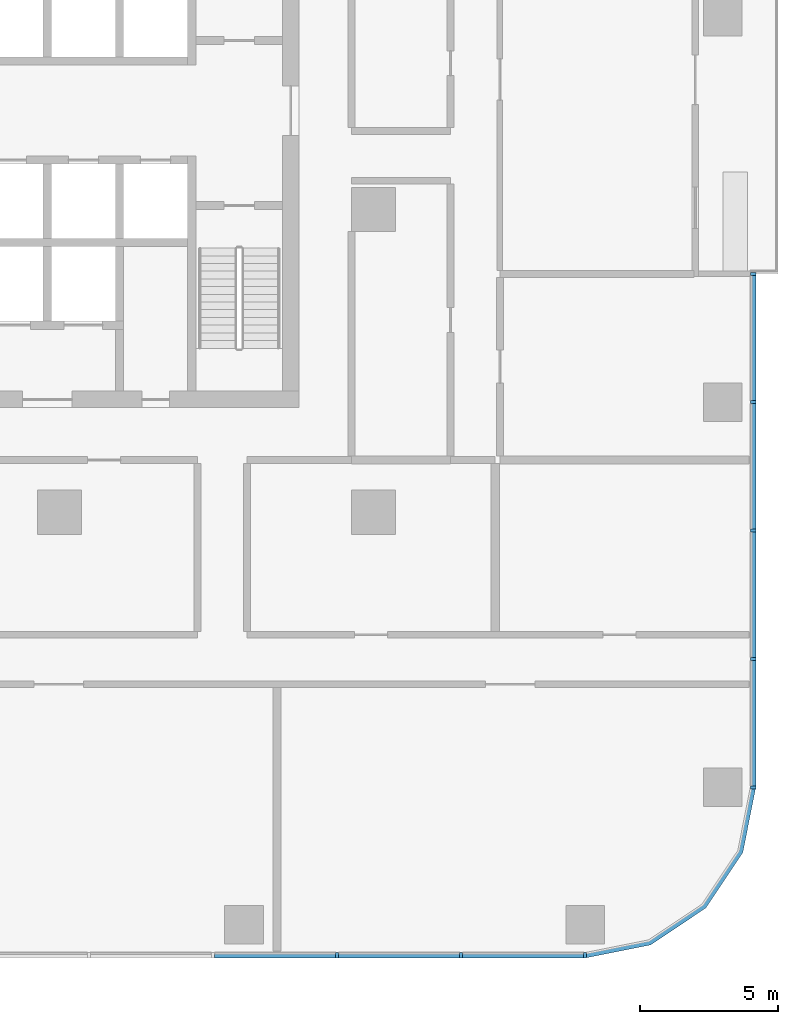
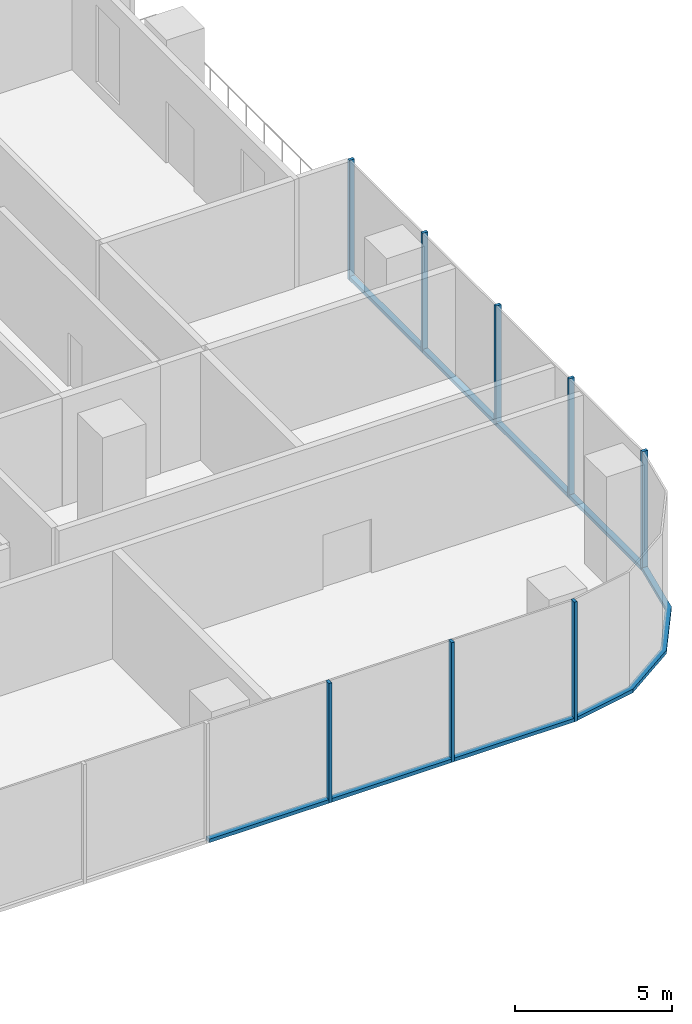
# One storey, part 3 of 15: 16 members, 3 elements without a shape of their own.
"""IFC4 building model written with IfcOpenShell, lengths in metres."""

from ifc_helpers import new_model, si_unit, direction, frame, origin, origin_2d, place, context, subcontext, project, spatial, polyline, rectangle, outline, extrude, material, material_profile, profile_set, type_object, element, aggregate, save


model = new_model("IFC4")

# Units and contexts
model_context = context("Model", 3, precision=1e-05, world=origin(), true_north=direction((0.0, 1.0)))
body_context = subcontext(model_context, "Body", "Model", "MODEL_VIEW")
ifc_project = project(units=[si_unit("LENGTHUNIT", "METRE"), si_unit("AREAUNIT", "SQUARE_METRE"), si_unit("VOLUMEUNIT", "CUBIC_METRE"), si_unit("PLANEANGLEUNIT", "RADIAN"), si_unit("MASSUNIT", "GRAM", prefix="KILO")], contexts=[model_context])

# Site, building, storey
site_placement = place(None, origin())
site = spatial("IfcSite", under=ifc_project, at=site_placement, CompositionType="ELEMENT")
building_placement = place(site_placement, origin())
building = spatial("IfcBuilding", under=site, at=building_placement, Name="Mopane Tessera Tower", CompositionType="ELEMENT")
storey_placement = place(building_placement, frame((0.0, 0.0, 83.800048828125)))
storey = spatial("IfcBuildingStorey", under=building, at=storey_placement, Name="L16", CompositionType="ELEMENT", Elevation=83.800048828125)

# Curtain wall, members
ifc_material_1 = material(Name="Aluminium frame", Category="aluminium")
curtain_wall_type = type_object("IfcCurtainWallType", Name="Lower tower unitised wall", PredefinedType="NOTDEFINED", material=ifc_material_1)
curtain_wall_1_placement = place(storey_placement, origin())
curtain_wall_1 = element("IfcCurtainWall", 1, at=curtain_wall_1_placement, inside=storey, type_object=curtain_wall_type, Name="e:cw:L16:S:5", PredefinedType="NOTDEFINED")
ifc_material_2 = material(Name="Aluminium frame", Category="aluminium")
ifc_material_profile_1 = material_profile(ifc_material_2, rectangle(XDim=0.110107421875, YDim=0.199951171875, at=origin_2d()))
ifc_profile_set_1 = profile_set([ifc_material_profile_1], Name="Aluminium frame")
member_type_1 = type_object("IfcMemberType", Name="Aluminium mullion 110 x 200", PredefinedType="MULLION", material=ifc_profile_set_1)
member_1_placement = place(storey_placement, frame((15.78173828125, -27.10009765625, -0.449951171875), z_axis=(0.0, 0.0, 1.0), x_axis=(1.0, 0.0, 0.0)))
member_1 = element("IfcMember", 2, at=member_1_placement, type_object=member_type_1, Name="e:cw:L16:S:5:mu9", PredefinedType="MULLION", context=body_context, shape_type="SweptSolid", body=[
    extrude(rectangle(XDim=0.110107421875, YDim=0.199951171875, at=origin_2d()), origin(), (0.0, 0.0, 1.0), 4.64990234375),
])
member_2_placement = place(storey_placement, frame((20.291015625, -27.10009765625, -0.449951171875), z_axis=(0.0, 0.0, 1.0), x_axis=(1.0, 0.0, 0.0)))
member_2 = element("IfcMember", 3, at=member_2_placement, type_object=member_type_1, Name="e:cw:L16:S:5:mu10", PredefinedType="MULLION", context=body_context, shape_type="SweptSolid", body=[
    extrude(rectangle(XDim=0.110107421875, YDim=0.199951171875, at=origin_2d()), origin(), (0.0, 0.0, 1.0), 4.64990234375),
])
member_3_placement = place(storey_placement, frame((24.800048828125, -27.10009765625, -0.449951171875), z_axis=(0.0, 0.0, 1.0), x_axis=(1.0, 0.0, 0.0)))
member_3 = element("IfcMember", 4, at=member_3_placement, type_object=member_type_1, Name="e:cw:L16:S:5:mu11", PredefinedType="MULLION", context=body_context, shape_type="SweptSolid", body=[
    extrude(rectangle(XDim=0.110107421875, YDim=0.199951171875, at=origin_2d()), origin(), (0.0, 0.0, 1.0), 4.64990234375),
])

curtain_wall_2_placement = place(storey_placement, origin())
curtain_wall_2 = element("IfcCurtainWall", 5, at=curtain_wall_2_placement, inside=storey, type_object=curtain_wall_type, Name="e:cw:L16:E:0", PredefinedType="NOTDEFINED")
member_4_placement = place(storey_placement, frame((30.89990234375, -21.0, -0.449951171875), z_axis=(0.0, 0.0, 1.0), x_axis=(0.0, 1.0, 0.0)))
member_4 = element("IfcMember", 6, at=member_4_placement, type_object=member_type_1, Name="e:cw:L16:E:0:mu0", PredefinedType="MULLION", context=body_context, shape_type="SweptSolid", body=[
    extrude(rectangle(XDim=0.110107421875, YDim=0.199951171875, at=origin_2d()), origin(), (0.0, 0.0, 1.0), 4.64990234375),
])
member_5_placement = place(storey_placement, frame((30.89990234375, -16.333251953125, -0.449951171875), z_axis=(0.0, 0.0, 1.0), x_axis=(0.0, 1.0, 0.0)))
member_5 = element("IfcMember", 7, at=member_5_placement, type_object=member_type_1, Name="e:cw:L16:E:0:mu1", PredefinedType="MULLION", context=body_context, shape_type="SweptSolid", body=[
    extrude(rectangle(XDim=0.110107421875, YDim=0.199951171875, at=origin_2d()), origin(), (0.0, 0.0, 1.0), 4.64990234375),
])
member_6_placement = place(storey_placement, frame((30.89990234375, -11.666748046875, -0.449951171875), z_axis=(0.0, 0.0, 1.0), x_axis=(0.0, 1.0, 0.0)))
member_6 = element("IfcMember", 8, at=member_6_placement, type_object=member_type_1, Name="e:cw:L16:E:0:mu2", PredefinedType="MULLION", context=body_context, shape_type="SweptSolid", body=[
    extrude(rectangle(XDim=0.110107421875, YDim=0.199951171875, at=origin_2d()), origin(), (0.0, 0.0, 1.0), 4.64990234375),
])
member_7_placement = place(storey_placement, frame((30.89990234375, -7.0, -0.449951171875), z_axis=(0.0, 0.0, 1.0), x_axis=(0.0, 1.0, 0.0)))
member_7 = element("IfcMember", 9, at=member_7_placement, type_object=member_type_1, Name="e:cw:L16:E:0:mu3", PredefinedType="MULLION", context=body_context, shape_type="SweptSolid", body=[
    extrude(rectangle(XDim=0.110107421875, YDim=0.199951171875, at=origin_2d()), origin(), (0.0, 0.0, 1.0), 4.64990234375),
])
member_8_placement = place(storey_placement, frame((30.89990234375, -2.333251953125, -0.449951171875), z_axis=(0.0, 0.0, 1.0), x_axis=(0.0, 1.0, 0.0)))
member_8 = element("IfcMember", 10, at=member_8_placement, type_object=member_type_1, Name="e:cw:L16:E:0:mu4", PredefinedType="MULLION", context=body_context, shape_type="SweptSolid", body=[
    extrude(rectangle(XDim=0.110107421875, YDim=0.199951171875, at=origin_2d()), origin(), (0.0, 0.0, 1.0), 4.64990234375),
])

# Member
ifc_material_3 = material(Name="Aluminium frame", Category="aluminium")
ifc_material_profile_2 = material_profile(ifc_material_3, rectangle(XDim=0.199951171875, YDim=0.139892578125, at=origin_2d()))
ifc_profile_set_2 = profile_set([ifc_material_profile_2], Name="Aluminium frame")
member_type_2 = type_object("IfcMemberType", Name="Aluminium transom 200 x 140", PredefinedType="USERDEFINED", material=ifc_profile_set_2)
member_9_placement = place(storey_placement, frame((11.32763671875, -27.10009765625, -0.380126953125), z_axis=(1.0, 0.0, 0.0), x_axis=(0.0, 1.0, 0.0)))
member_9 = element("IfcMember", 11, at=member_9_placement, type_object=member_type_2, Name="e:cw:L16:S:5:tr8", ObjectType="TRANSOM", PredefinedType="USERDEFINED", context=body_context, shape_type="SweptSolid", body=[
    extrude(rectangle(XDim=0.199951171875, YDim=0.139892578125, at=origin_2d()), origin(), (0.0, 0.0, 1.0), 4.399169921875),
])

member_10_placement = place(storey_placement, frame((15.8369140625, -27.10009765625, -0.380126953125), z_axis=(1.0, 0.0, 0.0), x_axis=(0.0, 1.0, 0.0)))
member_10 = element("IfcMember", 12, at=member_10_placement, type_object=member_type_2, Name="e:cw:L16:S:5:tr9", ObjectType="TRANSOM", PredefinedType="USERDEFINED", context=body_context, shape_type="SweptSolid", body=[
    extrude(rectangle(XDim=0.199951171875, YDim=0.139892578125, at=origin_2d()), origin(), (0.0, 0.0, 1.0), 4.39892578125),
])

member_11_placement = place(storey_placement, frame((20.345947265625, -27.10009765625, -0.380126953125), z_axis=(1.0, 0.0, 0.0), x_axis=(0.0, 1.0, 0.0)))
member_11 = element("IfcMember", 13, at=member_11_placement, type_object=member_type_2, Name="e:cw:L16:S:5:tr10", ObjectType="TRANSOM", PredefinedType="USERDEFINED", context=body_context, shape_type="SweptSolid", body=[
    extrude(rectangle(XDim=0.199951171875, YDim=0.139892578125, at=origin_2d()), origin(), (0.0, 0.0, 1.0), 4.399169921875),
])

aggregate(curtain_wall_1, [member_1, member_2, member_3, member_9, member_10, member_11])

# Curtain wall, member
curtain_wall_3_placement = place(storey_placement, origin())
curtain_wall_3 = element("IfcCurtainWall", 14, at=curtain_wall_3_placement, inside=storey, type_object=curtain_wall_type, Name="e:cw:L16:CS", PredefinedType="NOTDEFINED")
member_12_placement = place(storey_placement, frame((0.0, 0.0, -0.449951171875)))
member_12 = element("IfcMember", 15, at=member_12_placement, type_object=member_type_2, Name="e:cw:L16:CS:tr", ObjectType="TRANSOM", PredefinedType="USERDEFINED", context=body_context, shape_type="SweptSolid", body=[
    extrude(outline(polyline([(24.800048828125, -27.0), (27.09619140625, -26.543212890625), (29.042724609375, -25.24267578125), (30.34326171875, -23.296142578125), (30.800048828125, -21.0), (31.0, -21.0), (30.528076171875, -23.37255859375), (29.18408203125, -25.384033203125), (27.172607421875, -26.72802734375), (24.800048828125, -27.199951171875), (24.800048828125, -27.0)])), origin(), (0.0, 0.0, 1.0), 0.139892578125),
])
aggregate(curtain_wall_3, [member_12])

# Member
member_13_placement = place(storey_placement, frame((30.89990234375, -20.945068359375, -0.380126953125), z_axis=(0.0, 1.0, 0.0), x_axis=(-1.0, 0.0, 0.0)))
member_13 = element("IfcMember", 16, at=member_13_placement, type_object=member_type_2, Name="e:cw:L16:E:0:tr0", ObjectType="TRANSOM", PredefinedType="USERDEFINED", context=body_context, shape_type="SweptSolid", body=[
    extrude(rectangle(XDim=0.199951171875, YDim=0.139892578125, at=origin_2d()), origin(), (0.0, 0.0, 1.0), 4.556640625),
])

member_14_placement = place(storey_placement, frame((30.89990234375, -16.2783203125, -0.380126953125), z_axis=(0.0, 1.0, 0.0), x_axis=(-1.0, 0.0, 0.0)))
member_14 = element("IfcMember", 17, at=member_14_placement, type_object=member_type_2, Name="e:cw:L16:E:0:tr1", ObjectType="TRANSOM", PredefinedType="USERDEFINED", context=body_context, shape_type="SweptSolid", body=[
    extrude(rectangle(XDim=0.199951171875, YDim=0.139892578125, at=origin_2d()), origin(), (0.0, 0.0, 1.0), 4.556640625),
])

member_15_placement = place(storey_placement, frame((30.89990234375, -11.611572265625, -0.380126953125), z_axis=(0.0, 1.0, 0.0), x_axis=(-1.0, 0.0, 0.0)))
member_15 = element("IfcMember", 18, at=member_15_placement, type_object=member_type_2, Name="e:cw:L16:E:0:tr2", ObjectType="TRANSOM", PredefinedType="USERDEFINED", context=body_context, shape_type="SweptSolid", body=[
    extrude(rectangle(XDim=0.199951171875, YDim=0.139892578125, at=origin_2d()), origin(), (0.0, 0.0, 1.0), 4.556640625),
])

member_16_placement = place(storey_placement, frame((30.89990234375, -6.945068359375, -0.380126953125), z_axis=(0.0, 1.0, 0.0), x_axis=(-1.0, 0.0, 0.0)))
member_16 = element("IfcMember", 19, at=member_16_placement, type_object=member_type_2, Name="e:cw:L16:E:0:tr3", ObjectType="TRANSOM", PredefinedType="USERDEFINED", context=body_context, shape_type="SweptSolid", body=[
    extrude(rectangle(XDim=0.199951171875, YDim=0.139892578125, at=origin_2d()), origin(), (0.0, 0.0, 1.0), 4.556640625),
])

aggregate(curtain_wall_2, [member_4, member_5, member_6, member_7, member_8, member_13, member_14, member_15, member_16])

save(model, "model.ifc")
